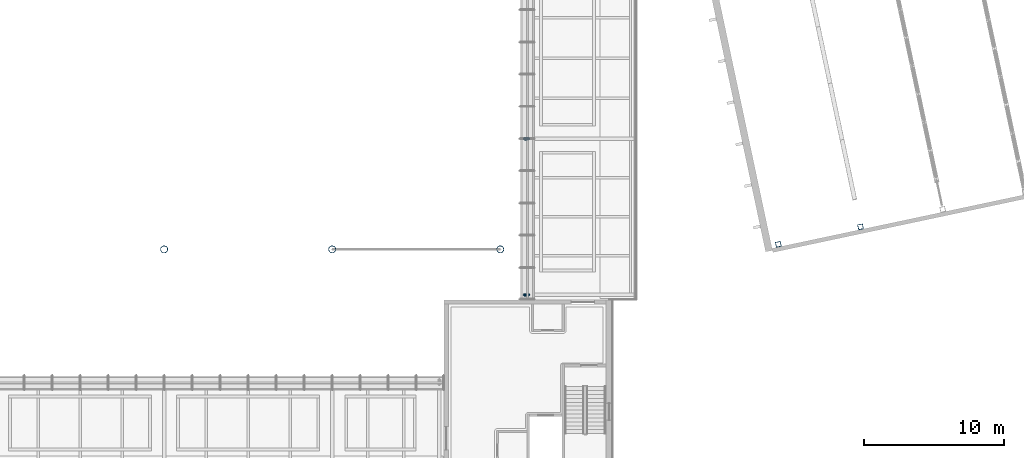
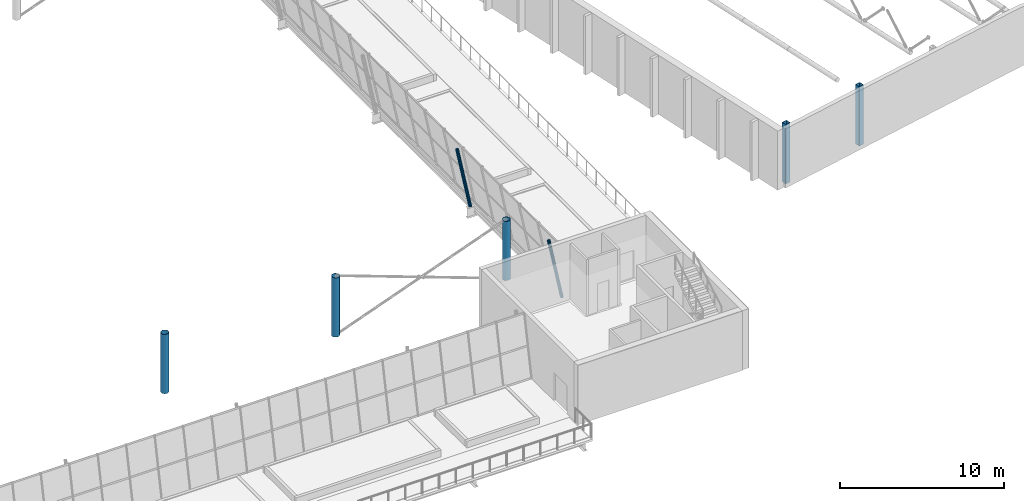
# One storey, part 4 of 58: 7 columns.
"""IFC4 building model written with IfcOpenShell, lengths in metres."""

import ifcopenshell
import ifcopenshell.guid

model = None  # the IFC model being written
_history = None  # IfcOwnerHistory: only IFC2X3 demands one
_inside = {}  # id of a spatial element -> (the spatial element, [elements in it])
_under = {}  # id of a project, library or spatial element -> (it, [spatial elements below it])
_declared = {}  # id of a project -> (the project, [libraries it declares])
_typed = {}  # id of a type object -> (the type object, [elements of that type])
_made_of = {}  # id of a material, layer set ... -> (it, [elements and type objects made of it])


def new_model(schema):
    """Start an empty IFC model of exactly this schema.

    Asked for "IFC4X3", IfcOpenShell would pick the latest addendum, in which some entities
    have other attributes; the version numbers below select the first issue.
    IFC2X3 requires an IfcOwnerHistory on every rooted entity: one is made here for all.
    """
    global model, _history
    if schema == "IFC4X3":
        model = ifcopenshell.file(schema_version=(4, 3, 0, 0))
    else:
        model = ifcopenshell.file(schema=schema)
    _inside.clear()
    _under.clear()
    _declared.clear()
    _typed.clear()
    _made_of.clear()
    _history = None
    if model.schema == "IFC2X3":
        org = make("IfcOrganization", Name="unknown")
        user = make(
            "IfcPersonAndOrganization",
            ThePerson=make("IfcPerson", FamilyName="unknown"),
            TheOrganization=org,
        )
        app = make(
            "IfcApplication",
            ApplicationDeveloper=org,
            Version="unknown",
            ApplicationFullName="unknown",
            ApplicationIdentifier="unknown",
        )
        _history = make(
            "IfcOwnerHistory",
            OwningUser=user,
            OwningApplication=app,
            ChangeAction="ADDED",
            CreationDate=0,
        )
    return model


def make(cls, **values):
    """One entity of the class cls with the attributes given. An attribute that is None is left unset."""
    return model.create_entity(
        cls, **{name: value for name, value in values.items() if value is not None}
    )


def rooted(cls, **values):
    """An entity with a GlobalId (a new one), such as an element, a storey or a relation."""
    return make(cls, GlobalId=ifcopenshell.guid.new(), OwnerHistory=_history, **values)


def si_unit(unit_type, name, prefix=None):
    """IfcSIUnit, for example si_unit("LENGTHUNIT", "METRE", prefix="MILLI")."""
    return make("IfcSIUnit", UnitType=unit_type, Prefix=prefix, Name=name)


def assignment(units):
    """IfcUnitAssignment: the units of a project."""
    return None if units is None else make("IfcUnitAssignment", Units=units)


def point(xyz):
    """IfcCartesianPoint."""
    return None if xyz is None else make("IfcCartesianPoint", Coordinates=xyz)


def direction(xyz):
    """IfcDirection."""
    return None if xyz is None else make("IfcDirection", DirectionRatios=xyz)


def frame(location, z_axis=None, x_axis=None):
    """IfcAxis2Placement3D, a coordinate frame: its origin and axes. An axis left out is left unset."""
    return make(
        "IfcAxis2Placement3D",
        Location=point(location),
        Axis=direction(z_axis),
        RefDirection=direction(x_axis),
    )


def frame_2d(location, x_axis=None):
    """IfcAxis2Placement2D, a coordinate frame in the plane: its origin and x axis."""
    return make(
        "IfcAxis2Placement2D", Location=point(location), RefDirection=direction(x_axis)
    )


def origin():
    """The frame at (0, 0, 0) with its axes left unset."""
    return frame((0.0, 0.0, 0.0))


def origin_2d():
    """The frame at (0, 0) in the plane with its x axis left unset."""
    return frame_2d((0.0, 0.0))


def place(relative_to, where):
    """IfcLocalPlacement: puts the frame where relative to a parent placement (None: the world)."""
    return make(
        "IfcLocalPlacement", PlacementRelTo=relative_to, RelativePlacement=where
    )


def context(
    kind, dimensions, precision=None, world=None, true_north=None, identifier=None
):
    """IfcGeometricRepresentationContext, for example the 3D "Model" context."""
    return make(
        "IfcGeometricRepresentationContext",
        ContextIdentifier=identifier,
        ContextType=kind,
        CoordinateSpaceDimension=dimensions,
        Precision=precision,
        WorldCoordinateSystem=world,
        TrueNorth=true_north,
    )


def subcontext(parent, identifier, kind, view, scale=None):
    """IfcGeometricRepresentationSubContext, for example "Body" below "Model"."""
    return make(
        "IfcGeometricRepresentationSubContext",
        ContextIdentifier=identifier,
        ContextType=kind,
        ParentContext=parent,
        TargetScale=scale,
        TargetView=view,
    )


def project(units=None, contexts=None):
    """IfcProject with its units and contexts."""
    return rooted(
        "IfcProject",
        Name="project",
        RepresentationContexts=contexts,
        UnitsInContext=assignment(units),
    )


def spatial(cls, under=None, at=None, **own):
    """A site, building, storey or space (cls), placed at a placement, below another one or the project."""
    s = rooted(cls, ObjectPlacement=at, **own)
    if under is not None:
        _under.setdefault(under.id(), (under, []))[1].append(s)
    return s


def profile(cls, at=None, kind="AREA", **sizes):
    """A parametric profile (cls). Its sizes go by their IFC names, for example OverallWidth=200.0."""
    return make(cls, ProfileType=kind, Position=at, **sizes)


def hollow_rectangle(**sizes):
    """IfcRectangleHollowProfileDef."""
    return profile("IfcRectangleHollowProfileDef", **sizes)


def hollow_circle(**sizes):
    """IfcCircleHollowProfileDef."""
    return profile("IfcCircleHollowProfileDef", **sizes)


def extrude(swept, where, along, depth):
    """IfcExtrudedAreaSolid: the profile swept, set in the frame where, extruded along a direction by depth."""
    return make(
        "IfcExtrudedAreaSolid",
        SweptArea=swept,
        Position=where,
        ExtrudedDirection=direction(along),
        Depth=depth,
    )


def shape(context_of_items, identifier, shape_type, items):
    """IfcShapeRepresentation: the items that make up one representation, for example the "Body"."""
    return make(
        "IfcShapeRepresentation",
        ContextOfItems=context_of_items,
        RepresentationIdentifier=identifier,
        RepresentationType=shape_type,
        Items=items,
    )


def material(Name=None, Category=None):
    """IfcMaterial."""
    return make("IfcMaterial", Name=Name, Category=Category)


def material_profile(
    of_material, cross_section, Name=None, Category=None, Priority=None
):
    """IfcMaterialProfile: a cross section and its material."""
    return make(
        "IfcMaterialProfile",
        Name=Name,
        Material=of_material,
        Profile=cross_section,
        Priority=Priority,
        Category=Category,
    )


def profile_set(profiles, Name=None, composite=None):
    """IfcMaterialProfileSet."""
    return make(
        "IfcMaterialProfileSet",
        Name=Name,
        MaterialProfiles=profiles,
        CompositeProfile=composite,
    )


def made_of(thing, what):
    """Note that an element or type object is made of a material, layer set ...; save() writes the relation."""
    if what is not None:
        _made_of.setdefault(what.id(), (what, []))[1].append(thing)
    return thing


def type_object(cls, material=None, **own):
    """A type object (cls), such as IfcWallType, which elements share."""
    return made_of(rooted(cls, **own), material)


def element(
    cls,
    number,
    at=None,
    inside=None,
    cuts=None,
    type_object=None,
    material=None,
    context=None,
    identifier="Body",
    shape_type=None,
    held_by="IfcProductDefinitionShape",
    body=None,
    shapes=None,
    **own,
):
    """One element of the class cls, such as IfcWall. Its Tag is "e" and its number.

    at: its placement. inside: the storey or other place that contains it. cuts: it is an
    opening in that element (IfcRelVoidsElement). A single representation is given by context,
    identifier, shape_type and body (its items); several are given by shapes. held_by: the class
    of the entity that holds the representations. save() writes the other relations.
    """
    e = rooted(cls, Tag="e%d" % number, ObjectPlacement=at, **own)
    if body is not None:
        shapes = [shape(context, identifier, shape_type, body)]
    if shapes is not None:
        e.Representation = make(held_by, Representations=shapes)
    if inside is not None:
        _inside.setdefault(inside.id(), (inside, []))[1].append(e)
    if cuts is not None:
        rooted(
            "IfcRelVoidsElement", RelatingBuildingElement=cuts, RelatedOpeningElement=e
        )
    if type_object is not None:
        _typed.setdefault(type_object.id(), (type_object, []))[1].append(e)
    return made_of(e, material)


def aggregate(whole, parts):
    """IfcRelAggregates: a whole, such as a stair, and the parts it consists of."""
    return rooted("IfcRelAggregates", RelatingObject=whole, RelatedObjects=parts)


def save(model, path):
    """Write the relations noted so far, then the file.

    IfcRelAggregates (storeys below a building ...), IfcRelContainedInSpatialStructure (elements
    in a storey), IfcRelDefinesByType, IfcRelAssociatesMaterial and IfcRelDeclares: one each for
    every whole, place, type object, material and project.
    """
    for whole, parts in _under.values():
        aggregate(whole, parts)
    for where, things in _inside.values():
        rooted(
            "IfcRelContainedInSpatialStructure",
            RelatedElements=things,
            RelatingStructure=where,
        )
    for kind, things in _typed.values():
        rooted("IfcRelDefinesByType", RelatedObjects=things, RelatingType=kind)
    for what, things in _made_of.values():
        rooted("IfcRelAssociatesMaterial", RelatedObjects=things, RelatingMaterial=what)
    for by, libraries in _declared.values():
        rooted("IfcRelDeclares", RelatingContext=by, RelatedDefinitions=libraries)
    model.write(path)


model = new_model("IFC4")

# Units and contexts
model_context = context("Model", 3, precision=1e-05, world=origin(), true_north=direction((0.0, 1.0)))
body_context = subcontext(model_context, "Body", "Model", "MODEL_VIEW")
ifc_project = project(units=[si_unit("LENGTHUNIT", "METRE"), si_unit("AREAUNIT", "SQUARE_METRE"), si_unit("VOLUMEUNIT", "CUBIC_METRE"), si_unit("PLANEANGLEUNIT", "RADIAN"), si_unit("MASSUNIT", "GRAM", prefix="KILO")], contexts=[model_context])

# Site, building, storey
site_placement = place(None, origin())
site = spatial("IfcSite", under=ifc_project, at=site_placement, CompositionType="ELEMENT")
building_placement = place(site_placement, origin())
building = spatial("IfcBuilding", under=site, at=building_placement, Name="Windward Yard Aquatics Centre", CompositionType="ELEMENT")
storey_placement = place(building_placement, frame((0.0, 0.0, 13.800048828125)))
storey = spatial("IfcBuildingStorey", under=building, at=storey_placement, Name="L03", CompositionType="ELEMENT", Elevation=13.800048828125)

# Columns
ifc_material = material(Name="Steel ASTM A500 Gr C", Category="steel")
ifc_material_profile_1 = material_profile(ifc_material, hollow_rectangle(XDim=0.355712890625, YDim=0.355712890625, WallThickness=0.015869140625, InnerFilletRadius=0.008056640625, OuterFilletRadius=0.02392578125, at=origin_2d()), Name="HSS356X356X15.9")
ifc_profile_set_1 = profile_set([ifc_material_profile_1], Name="Steel ASTM A500 Gr C")
column_type_1 = type_object("IfcColumnType", Name="D column HSS356X356X15.9", PredefinedType="COLUMN", material=ifc_profile_set_1)
for number, where, z_axis, x_axis, name in (
    (1, (163.857177734375, 41.961669921875, 0.0), (0.0, 0.0, 1.0), (0.978147600734, 0.207911690818, 0.0), "D.COL.1.1.5"),
    (2, (169.72607421875, 43.208984375, 0.0), (0.0, 0.0, 1.0), (0.978147600734, 0.207911690818, 0.0), "D.COL.2.1.5"),
):
    element("IfcColumn", number, at=place(storey_placement, frame(where, z_axis=z_axis, x_axis=x_axis)), inside=storey, type_object=column_type_1, Name=name, PredefinedType="COLUMN", context=body_context, shape_type="SweptSolid", body=[
        extrude(hollow_rectangle(XDim=0.355712890625, YDim=0.355712890625, WallThickness=0.015869140625, InnerFilletRadius=0.008056640625, OuterFilletRadius=0.02392578125, at=origin_2d()), origin(), (0.0, 0.0, 1.0), 4.39990234375),
    ])
ifc_material_profile_2 = material_profile(ifc_material, hollow_circle(Radius=0.25390625, WallThickness=0.015869140625, at=origin_2d()), Name="HSS508X15.9")
ifc_profile_set_2 = profile_set([ifc_material_profile_2], Name="Steel ASTM A500 Gr C")
column_type_2 = type_object("IfcColumnType", Name="H arch column HSS508X15.9", PredefinedType="COLUMN", material=ifc_profile_set_2)
for number, where, z_axis, x_axis, name in (
    (3, (120.0, 41.60009765625, 0.0), (0.0, 0.0, 1.0), (1.0, 0.0, 0.0), "H.AC.S6.L03"),
    (4, (132.0, 41.60009765625, 0.0), (0.0, 0.0, 1.0), (1.0, 0.0, 0.0), "H.AC.S7.L03"),
    (5, (144.0, 41.60009765625, 0.0), (0.0, 0.0, 1.0), (1.0, 0.0, 0.0), "H.AC.S8.L03"),
):
    element("IfcColumn", number, at=place(storey_placement, frame(where, z_axis=z_axis, x_axis=x_axis)), inside=storey, type_object=column_type_2, Name=name, PredefinedType="COLUMN", context=body_context, shape_type="SweptSolid", body=[
        extrude(hollow_circle(Radius=0.25390625, WallThickness=0.015869140625, at=origin_2d()), origin(), (0.0, 0.0, 1.0), 4.39990234375),
    ])
ifc_material_profile_3 = material_profile(ifc_material, hollow_circle(Radius=0.109619140625, WallThickness=0.0126953125, at=origin_2d()), Name="HSS219.1X12.7")
ifc_profile_set_3 = profile_set([ifc_material_profile_3], Name="Steel ASTM A500 Gr C")
column_type_3 = type_object("IfcColumnType", Name="H tier 2 leg HSS219.1X12.7", PredefinedType="COLUMN", material=ifc_profile_set_3)
for number, where, z_axis, x_axis, name in (
    (6, (146.016357421875, 38.35009765625, -0.128173828125), (-0.199346128659, 0.0, 0.9799291408), (0.0, -1.0, 0.0), "H.TL.E1.T2A.L03"),
    (7, (146.016357421875, 49.5, -0.128173828125), (-0.199346128659, 0.0, 0.9799291408), (0.0, -1.0, 0.0), "H.TL.E2.T2A.L03"),
):
    element("IfcColumn", number, at=place(storey_placement, frame(where, z_axis=z_axis, x_axis=x_axis)), inside=storey, type_object=column_type_3, Name=name, PredefinedType="COLUMN", context=body_context, shape_type="SweptSolid", body=[
        extrude(hollow_circle(Radius=0.109619140625, WallThickness=0.0126953125, at=origin_2d()), origin(), (0.0, 0.0, 1.0), 4.620849609375),
    ])

save(model, "model.ifc")
